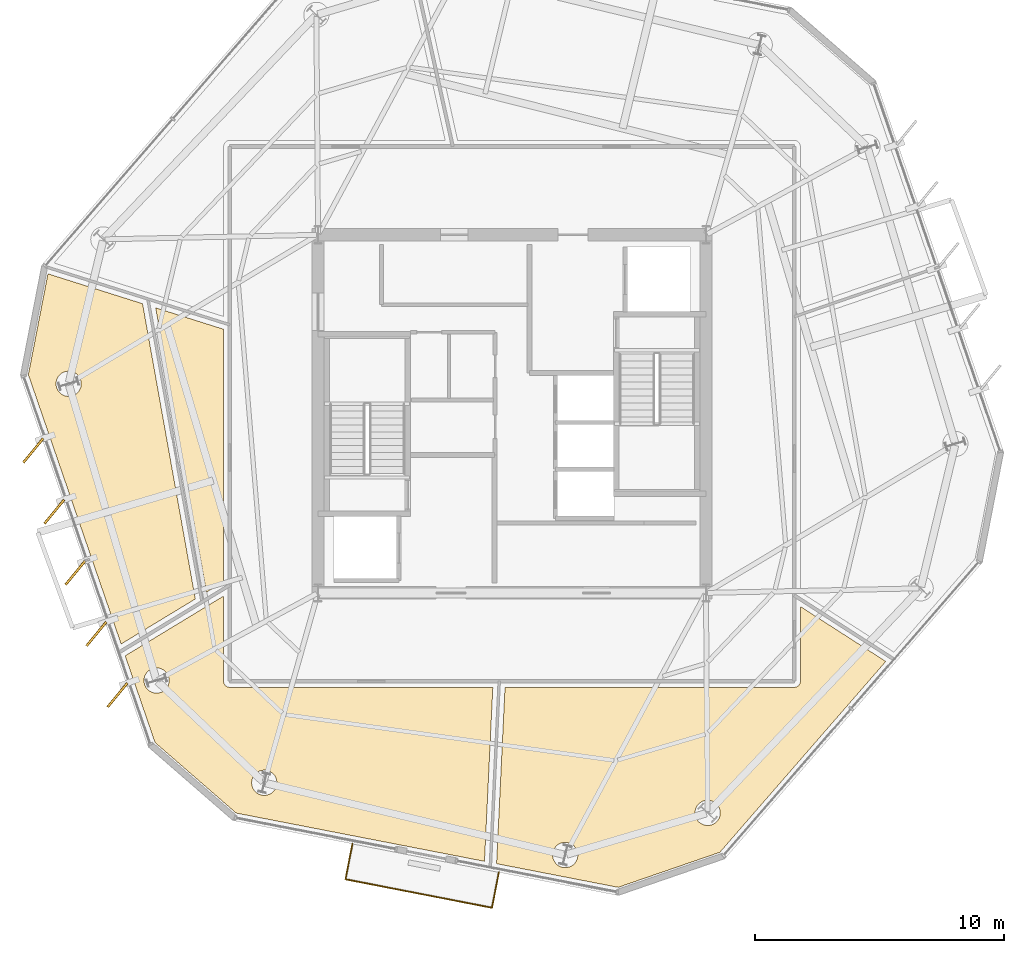
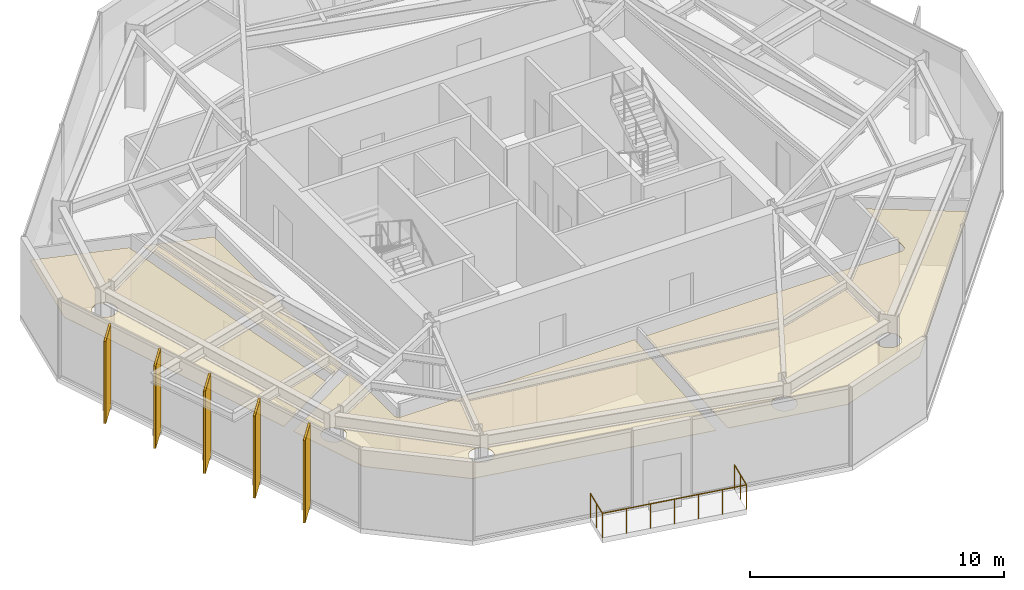
# One storey, part 9 of 11: 9 coverings, 5 shading devices, 1 railing.
"""IFC4 building model written with IfcOpenShell, lengths in metres."""

from ifc_helpers import new_model, si_unit, direction, frame, origin, origin_2d, place, context, subcontext, project, spatial, polyline, rectangle, circle, outline, extrude, material, layer, layer_set, type_object, element, save


model = new_model("IFC4")

# Units and contexts
model_context = context("Model", 3, precision=1e-05, world=origin(), true_north=direction((0.0, 1.0)))
body_context = subcontext(model_context, "Body", "Model", "MODEL_VIEW")
ifc_project = project(units=[si_unit("LENGTHUNIT", "METRE"), si_unit("AREAUNIT", "SQUARE_METRE"), si_unit("VOLUMEUNIT", "CUBIC_METRE"), si_unit("PLANEANGLEUNIT", "RADIAN"), si_unit("MASSUNIT", "GRAM", prefix="KILO")], contexts=[model_context])

# Site, building, storey
site_placement = place(None, origin())
site = spatial("IfcSite", under=ifc_project, at=site_placement, CompositionType="ELEMENT")
building_placement = place(site_placement, origin())
building = spatial("IfcBuilding", under=site, at=building_placement, Name="Kranzbogen Civic Tower", CompositionType="ELEMENT")
storey_placement = place(building_placement, frame((0.0, 0.0, 220.800048828125)))
storey = spatial("IfcBuildingStorey", under=building, at=storey_placement, Name="L53", CompositionType="ELEMENT", Elevation=220.800048828125)

# Coverings
ifc_material_1 = material(Name="Pale Anodised Aluminium", Category="aluminium")
ifc_layer_1 = layer(ifc_material_1, 0.02490234375, Name="Pale Anodised Aluminium")
ifc_layer_set_1 = layer_set([ifc_layer_1], Name="Pale Anodised Aluminium")
covering_type_1 = type_object("IfcCoveringType", Name="Anodised Aluminium Vertical Fin Cladding 25 mm", PredefinedType="CLADDING", material=ifc_layer_set_1)
for number, where, z_axis, x_axis, name in (
    (1, (5.7490234375, 23.52490234375, -0.14013671875), (0.0, 0.0, 1.0), (-0.63524286988, -0.77231243436, 0.0), "L53 vertical fin pale-metal cladding F3-1"),
    (2, (6.594970703125, 21.06591796875, -0.14013671875), (0.0, 0.0, 1.0), (-0.63524286988, -0.77231243436, 0.0), "L53 vertical fin pale-metal cladding F3-2"),
    (3, (7.44189453125, 18.60791015625, -0.14013671875), (0.0, 0.0, 1.0), (-0.63524286988, -0.77231243436, 0.0), "L53 vertical fin pale-metal cladding F3-3"),
    (4, (8.2880859375, 16.14990234375, -0.14013671875), (0.0, 0.0, 1.0), (-0.63524286988, -0.77231243436, 0.0), "L53 vertical fin pale-metal cladding F3-4"),
    (5, (9.135009765625, 13.69091796875, -0.14013671875), (0.0, 0.0, 1.0), (-0.63524286988, -0.77231243436, 0.0), "L53 vertical fin pale-metal cladding F3-5"),
):
    element("IfcCovering", number, at=place(storey_placement, frame(where, z_axis=z_axis, x_axis=x_axis)), inside=storey, type_object=covering_type_1, Name=name, PredefinedType="CLADDING", context=body_context, shape_type="SweptSolid", body=[
        extrude(rectangle(XDim=1.25, YDim=0.10009765625, at=origin_2d()), origin(), (0.0, 0.0, 1.0), 3.9599609375),
    ])

# Shading devices
ifc_material_2 = material(Name="Anodised Bronze Aluminium", Category="aluminium")
shading_device_type = type_object("IfcShadingDeviceType", Name="Anodised Bronze Vertical Facade Fin 1250x80", PredefinedType="USERDEFINED", material=ifc_material_2)
for number, where, z_axis, x_axis, name in (
    (6, (5.7490234375, 23.52490234375, -0.14013671875), (0.0, 0.0, 1.0), (-0.63524286988, -0.77231243436, 0.0), "L53 vertical exterior shading fin F3-1"),
    (7, (6.594970703125, 21.06591796875, -0.14013671875), (0.0, 0.0, 1.0), (-0.63524286988, -0.77231243436, 0.0), "L53 vertical exterior shading fin F3-2"),
    (8, (7.44189453125, 18.60791015625, -0.14013671875), (0.0, 0.0, 1.0), (-0.63524286988, -0.77231243436, 0.0), "L53 vertical exterior shading fin F3-3"),
    (9, (8.2880859375, 16.14990234375, -0.14013671875), (0.0, 0.0, 1.0), (-0.63524286988, -0.77231243436, 0.0), "L53 vertical exterior shading fin F3-4"),
    (10, (9.135009765625, 13.69091796875, -0.14013671875), (0.0, 0.0, 1.0), (-0.63524286988, -0.77231243436, 0.0), "L53 vertical exterior shading fin F3-5"),
):
    element("IfcShadingDevice", number, at=place(storey_placement, frame(where, z_axis=z_axis, x_axis=x_axis)), inside=storey, type_object=shading_device_type, Name=name, ObjectType="FIN", PredefinedType="USERDEFINED", context=body_context, shape_type="SweptSolid", body=[
        extrude(rectangle(XDim=1.25, YDim=0.080078125, at=origin_2d()), origin(), (0.0, 0.0, 1.0), 3.9599609375),
    ])

# Railing
railing_type = type_object("IfcRailingType", Name="Cantilevered Balcony Glass and Bronze Balustrade 1200", PredefinedType="BALUSTRADE", material=ifc_material_2)
railing_placement = place(storey_placement, frame((18.58203125, 7.70703125, 0.0)))
element("IfcRailing", 11, at=railing_placement, inside=storey, type_object=railing_type, Name="L53 exterior terrace balustrade L53-TB2", PredefinedType="BALUSTRADE", context=body_context, shape_type="SweptSolid", body=[
    extrude(circle(Radius=0.02392578125, at=origin_2d()), frame((0.0, 0.0, 1.17578125), z_axis=(-0.191126562121, -0.981565401413, 0.0), x_axis=(0.981565401413, -0.191126562121, 0.0)), (0.0, 0.0, 1.0), 1.44970703125),
    extrude(circle(Radius=0.02392578125, at=origin_2d()), frame((-0.277099609375, -1.423095703125, 1.17578125), z_axis=(0.981624282355, -0.190823919599, 0.0), x_axis=(0.190823919599, 0.981624282355, 0.0)), (0.0, 0.0, 1.0), 6.00048828125),
    extrude(circle(Radius=0.02392578125, at=origin_2d()), frame((5.613037109375, -2.568115234375, 1.17578125), z_axis=(0.190964312149, 0.981596980173, 0.0), x_axis=(-0.981596980173, 0.190964312149, 0.0)), (0.0, 0.0, 1.0), 1.44970703125),
    extrude(circle(Radius=0.02099609375, at=origin_2d()), origin(), (0.0, 0.0, 1.0), 1.15185546875),
    extrude(circle(Radius=0.02099609375, at=origin_2d()), frame((-0.138671875, -0.71142578125, 0.0)), (0.0, 0.0, 1.0), 1.15185546875),
    extrude(circle(Radius=0.02099609375, at=origin_2d()), frame((-0.277099609375, -1.423095703125, 0.0)), (0.0, 0.0, 1.0), 1.15185546875),
    extrude(circle(Radius=0.02099609375, at=origin_2d()), frame((0.70458984375, -1.614013671875, 0.0)), (0.0, 0.0, 1.0), 1.15185546875),
    extrude(circle(Radius=0.02099609375, at=origin_2d()), frame((1.686279296875, -1.8046875, 0.0)), (0.0, 0.0, 1.0), 1.15185546875),
    extrude(circle(Radius=0.02099609375, at=origin_2d()), frame((2.66796875, -1.99560546875, 0.0)), (0.0, 0.0, 1.0), 1.15185546875),
    extrude(circle(Radius=0.02099609375, at=origin_2d()), frame((3.649658203125, -2.1865234375, 0.0)), (0.0, 0.0, 1.0), 1.15185546875),
    extrude(circle(Radius=0.02099609375, at=origin_2d()), frame((4.63134765625, -2.377197265625, 0.0)), (0.0, 0.0, 1.0), 1.15185546875),
    extrude(circle(Radius=0.02099609375, at=origin_2d()), frame((5.613037109375, -2.568115234375, 0.0)), (0.0, 0.0, 1.0), 1.15185546875),
    extrude(circle(Radius=0.02099609375, at=origin_2d()), frame((5.75146484375, -1.8564453125, 0.0)), (0.0, 0.0, 1.0), 1.15185546875),
    extrude(circle(Radius=0.02099609375, at=origin_2d()), frame((5.889892578125, -1.14501953125, 0.0)), (0.0, 0.0, 1.0), 1.15185546875),
])

# Coverings
ifc_material_3 = material(Name="Perforated Acoustic Gypsum Ceiling")
ifc_layer_2 = layer(ifc_material_3, 0.02490234375, Name="Perforated Acoustic Gypsum Ceiling")
ifc_layer_set_2 = layer_set([ifc_layer_2], Name="Perforated Acoustic Gypsum Ceiling")
covering_type_2 = type_object("IfcCoveringType", Name="Perforated Acoustic Mineral Ceiling Tile 25 mm", PredefinedType="CEILING", material=ifc_layer_set_2)
covering_1_placement = place(storey_placement, frame((0.0, 0.0, 2.75)))
element("IfcCovering", 12, at=covering_1_placement, inside=storey, type_object=covering_type_2, Name="L53 Delegates Sitting Lounge acoustic ceiling", PredefinedType="CEILING", context=body_context, shape_type="SweptSolid", body=[
    extrude(outline(polyline([(13.405029296875, 18.248046875), (12.715087890625, 17.8291015625), (10.6708984375, 29.263916015625), (13.405029296875, 28.40087890625), (13.405029296875, 18.248046875)])), origin(), (0.0, 0.0, 1.0), 0.02490234375),
])
covering_2_placement = place(storey_placement, frame((0.0, 0.0, 2.75)))
element("IfcCovering", 13, at=covering_2_placement, inside=storey, type_object=covering_type_2, Name="L53 Executive Research Study acoustic ceiling", PredefinedType="CEILING", context=body_context, shape_type="SweptSolid", body=[
    extrude(outline(polyline([(10.14404296875, 29.429931640625), (12.26611328125, 17.555908203125), (9.281982421875, 15.7451171875), (5.552001953125, 26.575927734375), (6.340087890625, 30.631103515625), (10.14404296875, 29.429931640625)]), holes=[polyline([(7.64111328125, 26.014892578125), (7.618896484375, 25.969970703125), (7.593994140625, 25.927001953125), (7.56396484375, 25.886962890625), (7.531005859375, 25.85009765625), (7.493896484375, 25.81689453125), (7.4541015625, 25.787109375), (7.410888671875, 25.761962890625), (7.365966796875, 25.739990234375), (7.319091796875, 25.72412109375), (7.27099609375, 25.7119140625), (7.221923828125, 25.7041015625), (7.172119140625, 25.701904296875), (7.1220703125, 25.7041015625), (7.072998046875, 25.7119140625), (7.02490234375, 25.72412109375), (6.97802734375, 25.739990234375), (6.93310546875, 25.761962890625), (6.889892578125, 25.787109375), (6.85009765625, 25.81689453125), (6.81298828125, 25.85009765625), (6.780029296875, 25.886962890625), (6.75, 25.927001953125), (6.72509765625, 25.969970703125), (6.702880859375, 26.014892578125), (6.68701171875, 26.06201171875), (6.675048828125, 26.110107421875), (6.6669921875, 26.158935546875), (6.6650390625, 26.208984375), (6.6669921875, 26.259033203125), (6.675048828125, 26.30810546875), (6.68701171875, 26.35595703125), (6.702880859375, 26.403076171875), (6.72509765625, 26.447998046875), (6.75, 26.490966796875), (6.780029296875, 26.531005859375), (6.81298828125, 26.568115234375), (6.85009765625, 26.60107421875), (6.889892578125, 26.631103515625), (6.93310546875, 26.656005859375), (6.97802734375, 26.677978515625), (7.02490234375, 26.694091796875), (7.072998046875, 26.7060546875), (7.1220703125, 26.714111328125), (7.172119140625, 26.716064453125), (7.221923828125, 26.714111328125), (7.27099609375, 26.7060546875), (7.319091796875, 26.694091796875), (7.365966796875, 26.677978515625), (7.410888671875, 26.656005859375), (7.4541015625, 26.631103515625), (7.493896484375, 26.60107421875), (7.531005859375, 26.568115234375), (7.56396484375, 26.531005859375), (7.593994140625, 26.490966796875), (7.618896484375, 26.447998046875), (7.64111328125, 26.403076171875), (7.656982421875, 26.35595703125), (7.6689453125, 26.30810546875), (7.677001953125, 26.259033203125), (7.678955078125, 26.208984375), (7.677001953125, 26.158935546875), (7.6689453125, 26.110107421875), (7.656982421875, 26.06201171875), (7.64111328125, 26.014892578125)])]), origin(), (0.0, 0.0, 1.0), 0.02490234375),
])
covering_3_placement = place(storey_placement, frame((0.0, 0.0, 2.75)))
element("IfcCovering", 14, at=covering_3_placement, inside=storey, type_object=covering_type_2, Name="L53 Protocol Dining Room acoustic ceiling", PredefinedType="CEILING", context=body_context, shape_type="SweptSolid", body=[
    extrude(outline(polyline([(10.64599609375, 11.783935546875), (9.445068359375, 15.27099609375), (13.405029296875, 17.675048828125), (13.405029296875, 14.25), (13.405029296875, 14.240966796875), (13.406005859375, 14.235107421875), (13.406982421875, 14.217041015625), (13.407958984375, 14.2109375), (13.412109375, 14.194091796875), (13.4130859375, 14.18701171875), (13.41796875, 14.169921875), (13.419921875, 14.1640625), (13.427001953125, 14.14794921875), (13.429931640625, 14.14208984375), (13.43798828125, 14.126953125), (13.44189453125, 14.12109375), (13.450927734375, 14.10693359375), (13.455078125, 14.10205078125), (13.466064453125, 14.087890625), (13.470947265625, 14.0830078125), (13.48291015625, 14.071044921875), (13.488037109375, 14.06591796875), (13.501953125, 14.054931640625), (13.507080078125, 14.051025390625), (13.52099609375, 14.0419921875), (13.527099609375, 14.0380859375), (13.5419921875, 14.030029296875), (13.548095703125, 14.027099609375), (13.56396484375, 14.02001953125), (13.570068359375, 14.01806640625), (13.5869140625, 14.012939453125), (13.593994140625, 14.011962890625), (13.611083984375, 14.008056640625), (13.616943359375, 14.007080078125), (13.635009765625, 14.006103515625), (13.64111328125, 14.0048828125), (13.64990234375, 14.0048828125), (24.22900390625, 14.0048828125), (23.89404296875, 7.006103515625), (13.909912109375, 8.946044921875), (10.64599609375, 11.783935546875)]), holes=[polyline([(15.508056640625, 9.970947265625), (15.486083984375, 9.926025390625), (15.4609375, 9.883056640625), (15.430908203125, 9.843017578125), (15.39794921875, 9.805908203125), (15.361083984375, 9.77294921875), (15.321044921875, 9.742919921875), (15.278076171875, 9.718017578125), (15.23291015625, 9.696044921875), (15.18603515625, 9.679931640625), (15.137939453125, 9.66796875), (15.089111328125, 9.659912109375), (15.0390625, 9.657958984375), (14.989013671875, 9.659912109375), (14.93994140625, 9.66796875), (14.89208984375, 9.679931640625), (14.844970703125, 9.696044921875), (14.800048828125, 9.718017578125), (14.757080078125, 9.742919921875), (14.717041015625, 9.77294921875), (14.679931640625, 9.805908203125), (14.64697265625, 9.843017578125), (14.616943359375, 9.883056640625), (14.592041015625, 9.926025390625), (14.570068359375, 9.970947265625), (14.553955078125, 10.01806640625), (14.5419921875, 10.06591796875), (14.533935546875, 10.114990234375), (14.531982421875, 10.1650390625), (14.533935546875, 10.215087890625), (14.5419921875, 10.263916015625), (14.553955078125, 10.31201171875), (14.570068359375, 10.35888671875), (14.592041015625, 10.404052734375), (14.616943359375, 10.447021484375), (14.64697265625, 10.487060546875), (14.679931640625, 10.52392578125), (14.717041015625, 10.556884765625), (14.757080078125, 10.5869140625), (14.800048828125, 10.612060546875), (14.844970703125, 10.634033203125), (14.89208984375, 10.64990234375), (14.93994140625, 10.662109375), (14.989013671875, 10.669921875), (15.0390625, 10.672119140625), (15.089111328125, 10.669921875), (15.137939453125, 10.662109375), (15.18603515625, 10.64990234375), (15.23291015625, 10.634033203125), (15.278076171875, 10.612060546875), (15.321044921875, 10.5869140625), (15.361083984375, 10.556884765625), (15.39794921875, 10.52392578125), (15.430908203125, 10.487060546875), (15.4609375, 10.447021484375), (15.486083984375, 10.404052734375), (15.508056640625, 10.35888671875), (15.52392578125, 10.31201171875), (15.535888671875, 10.263916015625), (15.5439453125, 10.215087890625), (15.5458984375, 10.1650390625), (15.5439453125, 10.114990234375), (15.535888671875, 10.06591796875), (15.52392578125, 10.01806640625), (15.508056640625, 9.970947265625)]), polyline([(11.176025390625, 14.08203125), (11.154052734375, 14.037109375), (11.12890625, 13.993896484375), (11.09912109375, 13.9541015625), (11.06591796875, 13.9169921875), (11.029052734375, 13.884033203125), (10.989013671875, 13.85400390625), (10.946044921875, 13.8291015625), (10.90087890625, 13.806884765625), (10.85400390625, 13.791015625), (10.805908203125, 13.779052734375), (10.757080078125, 13.77099609375), (10.70703125, 13.76904296875), (10.656982421875, 13.77099609375), (10.60791015625, 13.779052734375), (10.56005859375, 13.791015625), (10.512939453125, 13.806884765625), (10.468017578125, 13.8291015625), (10.425048828125, 13.85400390625), (10.385009765625, 13.884033203125), (10.347900390625, 13.9169921875), (10.31494140625, 13.9541015625), (10.284912109375, 13.993896484375), (10.260009765625, 14.037109375), (10.238037109375, 14.08203125), (10.221923828125, 14.12890625), (10.2099609375, 14.177001953125), (10.201904296875, 14.22607421875), (10.199951171875, 14.27587890625), (10.201904296875, 14.325927734375), (10.2099609375, 14.375), (10.221923828125, 14.423095703125), (10.238037109375, 14.469970703125), (10.260009765625, 14.514892578125), (10.284912109375, 14.55810546875), (10.31494140625, 14.597900390625), (10.347900390625, 14.635009765625), (10.385009765625, 14.66796875), (10.425048828125, 14.697998046875), (10.468017578125, 14.722900390625), (10.512939453125, 14.7451171875), (10.56005859375, 14.760986328125), (10.60791015625, 14.77294921875), (10.656982421875, 14.781005859375), (10.70703125, 14.782958984375), (10.757080078125, 14.781005859375), (10.805908203125, 14.77294921875), (10.85400390625, 14.760986328125), (10.90087890625, 14.7451171875), (10.946044921875, 14.722900390625), (10.989013671875, 14.697998046875), (11.029052734375, 14.66796875), (11.06591796875, 14.635009765625), (11.09912109375, 14.597900390625), (11.12890625, 14.55810546875), (11.154052734375, 14.514892578125), (11.176025390625, 14.469970703125), (11.19189453125, 14.423095703125), (11.2041015625, 14.375), (11.2119140625, 14.325927734375), (11.214111328125, 14.27587890625), (11.2119140625, 14.22607421875), (11.2041015625, 14.177001953125), (11.19189453125, 14.12890625), (11.176025390625, 14.08203125)])]), origin(), (0.0, 0.0, 1.0), 0.02490234375),
])
covering_4_placement = place(storey_placement, frame((0.0, 0.0, 2.75)))
element("IfcCovering", 15, at=covering_4_placement, inside=storey, type_object=covering_type_2, Name="L53 Public Delegation Reception acoustic ceiling", PredefinedType="CEILING", context=body_context, shape_type="SweptSolid", body=[
    extrude(outline(polyline([(29.26904296875, 5.9609375), (24.3798828125, 6.910888671875), (24.718994140625, 14.0048828125), (36.35009765625, 14.0048828125), (36.35888671875, 14.0048828125), (36.364990234375, 14.006103515625), (36.383056640625, 14.007080078125), (36.388916015625, 14.008056640625), (36.406005859375, 14.011962890625), (36.4130859375, 14.012939453125), (36.429931640625, 14.01806640625), (36.43603515625, 14.02001953125), (36.451904296875, 14.027099609375), (36.4580078125, 14.030029296875), (36.472900390625, 14.0380859375), (36.47900390625, 14.0419921875), (36.492919921875, 14.051025390625), (36.498046875, 14.054931640625), (36.511962890625, 14.06591796875), (36.51708984375, 14.071044921875), (36.529052734375, 14.0830078125), (36.533935546875, 14.087890625), (36.544921875, 14.10205078125), (36.549072265625, 14.10693359375), (36.55810546875, 14.12109375), (36.56201171875, 14.126953125), (36.570068359375, 14.14208984375), (36.572998046875, 14.14794921875), (36.580078125, 14.1640625), (36.58203125, 14.169921875), (36.5869140625, 14.18701171875), (36.587890625, 14.194091796875), (36.592041015625, 14.2109375), (36.593017578125, 14.217041015625), (36.593994140625, 14.235107421875), (36.594970703125, 14.240966796875), (36.594970703125, 14.25), (36.594970703125, 17.2529296875), (40.030029296875, 15.0439453125), (33.35791015625, 7.368896484375), (29.26904296875, 5.9609375)]), holes=[polyline([(27.60888671875, 7.06591796875), (27.5869140625, 7.02099609375), (27.56201171875, 6.97802734375), (27.531982421875, 6.93798828125), (27.4990234375, 6.90087890625), (27.4619140625, 6.867919921875), (27.422119140625, 6.837890625), (27.37890625, 6.81298828125), (27.333984375, 6.791015625), (27.287109375, 6.77490234375), (27.239013671875, 6.762939453125), (27.18994140625, 6.7548828125), (27.139892578125, 6.7529296875), (27.090087890625, 6.7548828125), (27.041015625, 6.762939453125), (26.992919921875, 6.77490234375), (26.946044921875, 6.791015625), (26.90087890625, 6.81298828125), (26.85791015625, 6.837890625), (26.818115234375, 6.867919921875), (26.781005859375, 6.90087890625), (26.748046875, 6.93798828125), (26.718017578125, 6.97802734375), (26.693115234375, 7.02099609375), (26.6708984375, 7.06591796875), (26.655029296875, 7.113037109375), (26.64306640625, 7.160888671875), (26.635009765625, 7.2099609375), (26.633056640625, 7.260009765625), (26.635009765625, 7.31005859375), (26.64306640625, 7.35888671875), (26.655029296875, 7.406982421875), (26.6708984375, 7.4541015625), (26.693115234375, 7.4990234375), (26.718017578125, 7.5419921875), (26.748046875, 7.58203125), (26.781005859375, 7.618896484375), (26.818115234375, 7.652099609375), (26.85791015625, 7.681884765625), (26.90087890625, 7.70703125), (26.946044921875, 7.72900390625), (26.992919921875, 7.7451171875), (27.041015625, 7.757080078125), (27.090087890625, 7.764892578125), (27.139892578125, 7.76708984375), (27.18994140625, 7.764892578125), (27.239013671875, 7.757080078125), (27.287109375, 7.7451171875), (27.333984375, 7.72900390625), (27.37890625, 7.70703125), (27.422119140625, 7.681884765625), (27.4619140625, 7.652099609375), (27.4990234375, 7.618896484375), (27.531982421875, 7.58203125), (27.56201171875, 7.5419921875), (27.5869140625, 7.4990234375), (27.60888671875, 7.4541015625), (27.625, 7.406982421875), (27.636962890625, 7.35888671875), (27.64501953125, 7.31005859375), (27.64697265625, 7.260009765625), (27.64501953125, 7.2099609375), (27.636962890625, 7.160888671875), (27.625, 7.113037109375), (27.60888671875, 7.06591796875)]), polyline([(33.3359375, 8.761962890625), (33.31396484375, 8.717041015625), (33.2890625, 8.674072265625), (33.259033203125, 8.634033203125), (33.22607421875, 8.596923828125), (33.18896484375, 8.56396484375), (33.14892578125, 8.533935546875), (33.10595703125, 8.509033203125), (33.06103515625, 8.487060546875), (33.013916015625, 8.470947265625), (32.966064453125, 8.458984375), (32.9169921875, 8.450927734375), (32.866943359375, 8.448974609375), (32.81689453125, 8.450927734375), (32.76806640625, 8.458984375), (32.719970703125, 8.470947265625), (32.673095703125, 8.487060546875), (32.6279296875, 8.509033203125), (32.5849609375, 8.533935546875), (32.544921875, 8.56396484375), (32.508056640625, 8.596923828125), (32.47509765625, 8.634033203125), (32.445068359375, 8.674072265625), (32.419921875, 8.717041015625), (32.39794921875, 8.761962890625), (32.382080078125, 8.80908203125), (32.3701171875, 8.85693359375), (32.362060546875, 8.906005859375), (32.360107421875, 8.9560546875), (32.362060546875, 9.006103515625), (32.3701171875, 9.054931640625), (32.382080078125, 9.10302734375), (32.39794921875, 9.14990234375), (32.419921875, 9.195068359375), (32.445068359375, 9.238037109375), (32.47509765625, 9.278076171875), (32.508056640625, 9.31494140625), (32.544921875, 9.347900390625), (32.5849609375, 9.3779296875), (32.6279296875, 9.403076171875), (32.673095703125, 9.425048828125), (32.719970703125, 9.44091796875), (32.76806640625, 9.452880859375), (32.81689453125, 9.4609375), (32.866943359375, 9.462890625), (32.9169921875, 9.4609375), (32.966064453125, 9.452880859375), (33.013916015625, 9.44091796875), (33.06103515625, 9.425048828125), (33.10595703125, 9.403076171875), (33.14892578125, 9.3779296875), (33.18896484375, 9.347900390625), (33.22607421875, 9.31494140625), (33.259033203125, 9.278076171875), (33.2890625, 9.238037109375), (33.31396484375, 9.195068359375), (33.3359375, 9.14990234375), (33.35205078125, 9.10302734375), (33.364013671875, 9.054931640625), (33.3720703125, 9.006103515625), (33.3740234375, 8.9560546875), (33.3720703125, 8.906005859375), (33.364013671875, 8.85693359375), (33.35205078125, 8.80908203125), (33.3359375, 8.761962890625)])]), origin(), (0.0, 0.0, 1.0), 0.02490234375),
])

save(model, "model.ifc")
